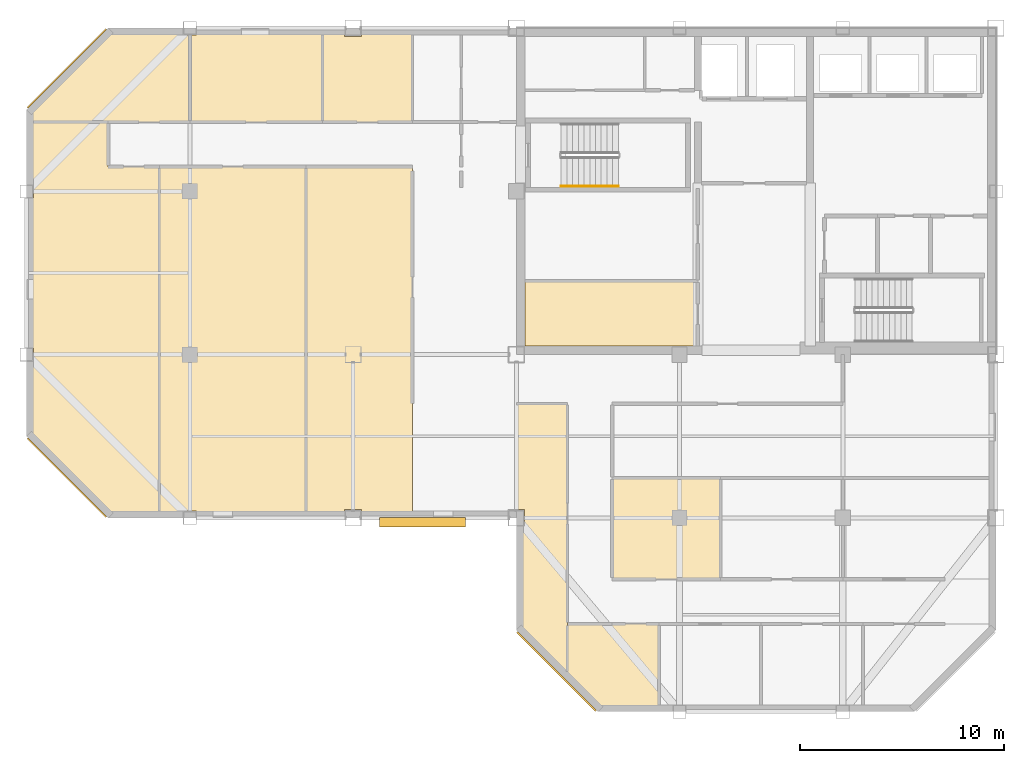
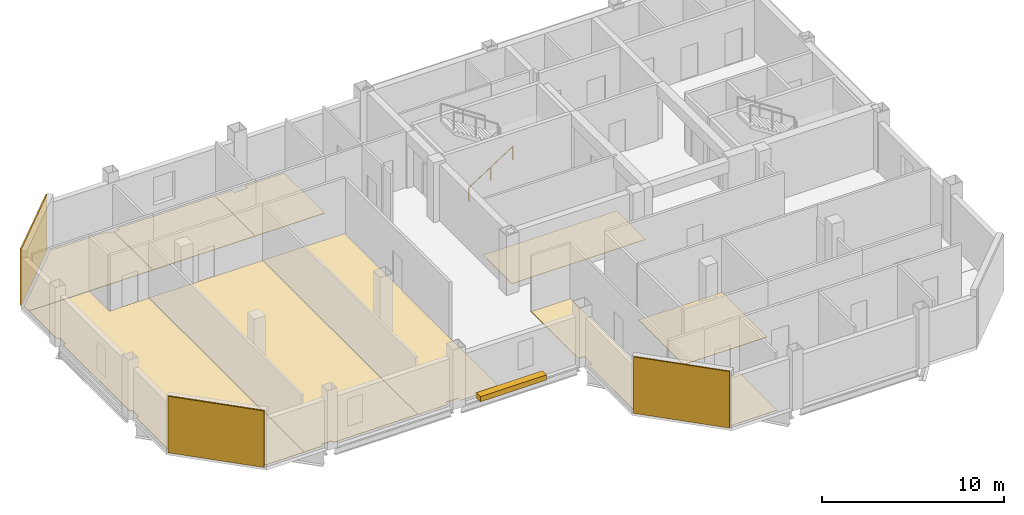
# One storey, part 5 of 7: 13 coverings, 1 railing, 1 shading device.
"""IFC4 building model written with IfcOpenShell, lengths in metres."""

import ifcopenshell
import ifcopenshell.guid

model = None  # the IFC model being written
_history = None  # IfcOwnerHistory: only IFC2X3 demands one
_inside = {}  # id of a spatial element -> (the spatial element, [elements in it])
_under = {}  # id of a project, library or spatial element -> (it, [spatial elements below it])
_declared = {}  # id of a project -> (the project, [libraries it declares])
_typed = {}  # id of a type object -> (the type object, [elements of that type])
_made_of = {}  # id of a material, layer set ... -> (it, [elements and type objects made of it])


def new_model(schema):
    """Start an empty IFC model of exactly this schema.

    Asked for "IFC4X3", IfcOpenShell would pick the latest addendum, in which some entities
    have other attributes; the version numbers below select the first issue.
    IFC2X3 requires an IfcOwnerHistory on every rooted entity: one is made here for all.
    """
    global model, _history
    if schema == "IFC4X3":
        model = ifcopenshell.file(schema_version=(4, 3, 0, 0))
    else:
        model = ifcopenshell.file(schema=schema)
    _inside.clear()
    _under.clear()
    _declared.clear()
    _typed.clear()
    _made_of.clear()
    _history = None
    if model.schema == "IFC2X3":
        org = make("IfcOrganization", Name="unknown")
        user = make(
            "IfcPersonAndOrganization",
            ThePerson=make("IfcPerson", FamilyName="unknown"),
            TheOrganization=org,
        )
        app = make(
            "IfcApplication",
            ApplicationDeveloper=org,
            Version="unknown",
            ApplicationFullName="unknown",
            ApplicationIdentifier="unknown",
        )
        _history = make(
            "IfcOwnerHistory",
            OwningUser=user,
            OwningApplication=app,
            ChangeAction="ADDED",
            CreationDate=0,
        )
    return model


def make(cls, **values):
    """One entity of the class cls with the attributes given. An attribute that is None is left unset."""
    return model.create_entity(
        cls, **{name: value for name, value in values.items() if value is not None}
    )


def rooted(cls, **values):
    """An entity with a GlobalId (a new one), such as an element, a storey or a relation."""
    return make(cls, GlobalId=ifcopenshell.guid.new(), OwnerHistory=_history, **values)


def si_unit(unit_type, name, prefix=None):
    """IfcSIUnit, for example si_unit("LENGTHUNIT", "METRE", prefix="MILLI")."""
    return make("IfcSIUnit", UnitType=unit_type, Prefix=prefix, Name=name)


def assignment(units):
    """IfcUnitAssignment: the units of a project."""
    return None if units is None else make("IfcUnitAssignment", Units=units)


def point(xyz):
    """IfcCartesianPoint."""
    return None if xyz is None else make("IfcCartesianPoint", Coordinates=xyz)


def direction(xyz):
    """IfcDirection."""
    return None if xyz is None else make("IfcDirection", DirectionRatios=xyz)


def frame(location, z_axis=None, x_axis=None):
    """IfcAxis2Placement3D, a coordinate frame: its origin and axes. An axis left out is left unset."""
    return make(
        "IfcAxis2Placement3D",
        Location=point(location),
        Axis=direction(z_axis),
        RefDirection=direction(x_axis),
    )


def frame_2d(location, x_axis=None):
    """IfcAxis2Placement2D, a coordinate frame in the plane: its origin and x axis."""
    return make(
        "IfcAxis2Placement2D", Location=point(location), RefDirection=direction(x_axis)
    )


def origin():
    """The frame at (0, 0, 0) with its axes left unset."""
    return frame((0.0, 0.0, 0.0))


def origin_2d():
    """The frame at (0, 0) in the plane with its x axis left unset."""
    return frame_2d((0.0, 0.0))


def place(relative_to, where):
    """IfcLocalPlacement: puts the frame where relative to a parent placement (None: the world)."""
    return make(
        "IfcLocalPlacement", PlacementRelTo=relative_to, RelativePlacement=where
    )


def context(
    kind, dimensions, precision=None, world=None, true_north=None, identifier=None
):
    """IfcGeometricRepresentationContext, for example the 3D "Model" context."""
    return make(
        "IfcGeometricRepresentationContext",
        ContextIdentifier=identifier,
        ContextType=kind,
        CoordinateSpaceDimension=dimensions,
        Precision=precision,
        WorldCoordinateSystem=world,
        TrueNorth=true_north,
    )


def subcontext(parent, identifier, kind, view, scale=None):
    """IfcGeometricRepresentationSubContext, for example "Body" below "Model"."""
    return make(
        "IfcGeometricRepresentationSubContext",
        ContextIdentifier=identifier,
        ContextType=kind,
        ParentContext=parent,
        TargetScale=scale,
        TargetView=view,
    )


def project(units=None, contexts=None):
    """IfcProject with its units and contexts."""
    return rooted(
        "IfcProject",
        Name="project",
        RepresentationContexts=contexts,
        UnitsInContext=assignment(units),
    )


def spatial(cls, under=None, at=None, **own):
    """A site, building, storey or space (cls), placed at a placement, below another one or the project."""
    s = rooted(cls, ObjectPlacement=at, **own)
    if under is not None:
        _under.setdefault(under.id(), (under, []))[1].append(s)
    return s


def polyline(points):
    """IfcPolyline through the points."""
    return make("IfcPolyline", Points=[point(p) for p in points])


def profile(cls, at=None, kind="AREA", **sizes):
    """A parametric profile (cls). Its sizes go by their IFC names, for example OverallWidth=200.0."""
    return make(cls, ProfileType=kind, Position=at, **sizes)


def rectangle(**sizes):
    """IfcRectangleProfileDef."""
    return profile("IfcRectangleProfileDef", **sizes)


def circle(**sizes):
    """IfcCircleProfileDef."""
    return profile("IfcCircleProfileDef", **sizes)


def outline(outer, holes=None, kind="AREA"):
    """IfcArbitraryClosedProfileDef: a profile drawn as a closed curve; with holes, ...WithVoids."""
    if holes is None:
        return make("IfcArbitraryClosedProfileDef", ProfileType=kind, OuterCurve=outer)
    return make(
        "IfcArbitraryProfileDefWithVoids",
        ProfileType=kind,
        OuterCurve=outer,
        InnerCurves=holes,
    )


def extrude(swept, where, along, depth):
    """IfcExtrudedAreaSolid: the profile swept, set in the frame where, extruded along a direction by depth."""
    return make(
        "IfcExtrudedAreaSolid",
        SweptArea=swept,
        Position=where,
        ExtrudedDirection=direction(along),
        Depth=depth,
    )


def shape(context_of_items, identifier, shape_type, items):
    """IfcShapeRepresentation: the items that make up one representation, for example the "Body"."""
    return make(
        "IfcShapeRepresentation",
        ContextOfItems=context_of_items,
        RepresentationIdentifier=identifier,
        RepresentationType=shape_type,
        Items=items,
    )


def material(Name=None, Category=None):
    """IfcMaterial."""
    return make("IfcMaterial", Name=Name, Category=Category)


def layer(
    of_material, thickness, ventilated=None, Name=None, Category=None, Priority=None
):
    """IfcMaterialLayer: one layer of a wall or slab, of a material (None: an air gap)."""
    return make(
        "IfcMaterialLayer",
        Material=of_material,
        LayerThickness=thickness,
        IsVentilated=ventilated,
        Name=Name,
        Category=Category,
        Priority=Priority,
    )


def layer_set(layers, Name=None):
    """IfcMaterialLayerSet."""
    return make("IfcMaterialLayerSet", MaterialLayers=layers, LayerSetName=Name)


def made_of(thing, what):
    """Note that an element or type object is made of a material, layer set ...; save() writes the relation."""
    if what is not None:
        _made_of.setdefault(what.id(), (what, []))[1].append(thing)
    return thing


def type_object(cls, material=None, **own):
    """A type object (cls), such as IfcWallType, which elements share."""
    return made_of(rooted(cls, **own), material)


def element(
    cls,
    number,
    at=None,
    inside=None,
    cuts=None,
    type_object=None,
    material=None,
    context=None,
    identifier="Body",
    shape_type=None,
    held_by="IfcProductDefinitionShape",
    body=None,
    shapes=None,
    **own,
):
    """One element of the class cls, such as IfcWall. Its Tag is "e" and its number.

    at: its placement. inside: the storey or other place that contains it. cuts: it is an
    opening in that element (IfcRelVoidsElement). A single representation is given by context,
    identifier, shape_type and body (its items); several are given by shapes. held_by: the class
    of the entity that holds the representations. save() writes the other relations.
    """
    e = rooted(cls, Tag="e%d" % number, ObjectPlacement=at, **own)
    if body is not None:
        shapes = [shape(context, identifier, shape_type, body)]
    if shapes is not None:
        e.Representation = make(held_by, Representations=shapes)
    if inside is not None:
        _inside.setdefault(inside.id(), (inside, []))[1].append(e)
    if cuts is not None:
        rooted(
            "IfcRelVoidsElement", RelatingBuildingElement=cuts, RelatedOpeningElement=e
        )
    if type_object is not None:
        _typed.setdefault(type_object.id(), (type_object, []))[1].append(e)
    return made_of(e, material)


def aggregate(whole, parts):
    """IfcRelAggregates: a whole, such as a stair, and the parts it consists of."""
    return rooted("IfcRelAggregates", RelatingObject=whole, RelatedObjects=parts)


def save(model, path):
    """Write the relations noted so far, then the file.

    IfcRelAggregates (storeys below a building ...), IfcRelContainedInSpatialStructure (elements
    in a storey), IfcRelDefinesByType, IfcRelAssociatesMaterial and IfcRelDeclares: one each for
    every whole, place, type object, material and project.
    """
    for whole, parts in _under.values():
        aggregate(whole, parts)
    for where, things in _inside.values():
        rooted(
            "IfcRelContainedInSpatialStructure",
            RelatedElements=things,
            RelatingStructure=where,
        )
    for kind, things in _typed.values():
        rooted("IfcRelDefinesByType", RelatedObjects=things, RelatingType=kind)
    for what, things in _made_of.values():
        rooted("IfcRelAssociatesMaterial", RelatedObjects=things, RelatingMaterial=what)
    for by, libraries in _declared.values():
        rooted("IfcRelDeclares", RelatingContext=by, RelatedDefinitions=libraries)
    model.write(path)


model = new_model("IFC4")

# Units and contexts
model_context = context("Model", 3, precision=1e-05, world=origin(), true_north=direction((0.0, 1.0)))
body_context = subcontext(model_context, "Body", "Model", "MODEL_VIEW")
ifc_project = project(units=[si_unit("LENGTHUNIT", "METRE"), si_unit("AREAUNIT", "SQUARE_METRE"), si_unit("VOLUMEUNIT", "CUBIC_METRE"), si_unit("PLANEANGLEUNIT", "RADIAN"), si_unit("MASSUNIT", "GRAM", prefix="KILO")], contexts=[model_context])

# Site, building, storey
site_placement = place(None, origin())
site = spatial("IfcSite", under=ifc_project, at=site_placement, CompositionType="ELEMENT")
building_placement = place(site_placement, origin())
building = spatial("IfcBuilding", under=site, at=building_placement, Name="Qianrong Seaharbour Tower", CompositionType="ELEMENT")
storey_placement = place(building_placement, frame((0.0, 0.0, 355.199951171875)))
storey = spatial("IfcBuildingStorey", under=building, at=storey_placement, Name="L86", CompositionType="ELEMENT", Elevation=355.199951171875)

# Coverings
ifc_material_1 = material(Name="Unitised red brick cladding on Precast concrete C45/55", Category="masonry")
ifc_layer_1 = layer(ifc_material_1, 0.080078125)
ifc_layer_set_1 = layer_set([ifc_layer_1], Name="Unitised red brick cladding on Precast concrete C45/55")
covering_type_1 = type_object("IfcCoveringType", Name="COV-CLAD-RED-BRICK-80", PredefinedType="CLADDING", material=ifc_layer_set_1)
for number, where, z_axis, x_axis, name in (
    (1, (18.4716796875, 29.9716796875, 0.0), (0.0, 0.0, 1.0), (-0.707106781187, 0.707106781187, 0.0), "L86 Chamfer Corner Brick Cladding 02"),
    (2, (18.4716796875, 50.0283203125, 0.0), (0.0, 0.0, 1.0), (0.707106781187, 0.707106781187, 0.0), "L86 Chamfer Corner Brick Cladding 04"),
    (3, (42.4716796875, 20.4716796875, 0.0), (0.0, 0.0, 1.0), (-0.707106781187, 0.707106781187, 0.0), "L86 Chamfer Corner Brick Cladding 09"),
):
    element("IfcCovering", number, at=place(storey_placement, frame(where, z_axis=z_axis, x_axis=x_axis)), inside=storey, type_object=covering_type_1, Name=name, PredefinedType="CLADDING", context=body_context, shape_type="SweptSolid", body=[
        extrude(rectangle(XDim=5.456787109375, YDim=0.080078125, at=origin_2d()), origin(), (0.0, 0.0, 1.0), 3.784912109375),
    ])
ifc_material_2 = material(Name="Acoustic modular carpet tile flooring")
ifc_layer_2 = layer(ifc_material_2, 0.02001953125)
ifc_layer_set_2 = layer_set([ifc_layer_2], Name="Acoustic modular carpet tile flooring")
covering_type_2 = type_object("IfcCoveringType", Name="COV-FLOOR-CARPET-20", PredefinedType="FLOORING", material=ifc_layer_set_2)
covering_1_placement = place(storey_placement, origin())
element("IfcCovering", 4, at=covering_1_placement, inside=storey, type_object=covering_type_2, Name="L86 Wellness Room Finish Flooring", PredefinedType="FLOORING", context=body_context, shape_type="SweptSolid", body=[
    extrude(outline(polyline([(49.39990234375, 39.60009765625), (49.39990234375, 36.419921875), (40.919921875, 36.419921875), (40.919921875, 39.60009765625), (49.39990234375, 39.60009765625)])), origin(), (0.0, 0.0, 1.0), 0.02001953125),
])
covering_2_placement = place(storey_placement, origin())
element("IfcCovering", 5, at=covering_2_placement, inside=storey, type_object=covering_type_2, Name="L86 VIP Client Lounge 3 Finish Flooring", PredefinedType="FLOORING", context=body_context, shape_type="SweptSolid", body=[
    extrude(outline(polyline([(32.909912109375, 28.1650390625), (32.909912109375, 28.409912109375), (32.090087890625, 28.409912109375), (32.090087890625, 28.1650390625), (30.199951171875, 28.1650390625), (30.199951171875, 45.199951171875), (35.39990234375, 45.199951171875), (35.39990234375, 28.1650390625), (32.909912109375, 28.1650390625)])), origin(), (0.0, 0.0, 1.0), 0.02001953125),
])
covering_3_placement = place(storey_placement, origin())
element("IfcCovering", 6, at=covering_3_placement, inside=storey, type_object=covering_type_2, Name="L86 Wet Pantry 1 Finish Flooring", PredefinedType="FLOORING", context=body_context, shape_type="SweptSolid", body=[
    extrude(outline(polyline([(43.0, 20.2333984375), (40.6650390625, 22.568359375), (40.6650390625, 27.590087890625), (40.909912109375, 27.590087890625), (40.909912109375, 28.409912109375), (40.5, 28.409912109375), (40.5, 33.60009765625), (43.0, 33.60009765625), (43.0, 20.2333984375)])), origin(), (0.0, 0.0, 1.0), 0.02001953125),
])
covering_4_placement = place(storey_placement, origin())
element("IfcCovering", 7, at=covering_4_placement, inside=storey, type_object=covering_type_2, Name="L86 Harbour Trade Lounge 1 Finish Flooring", PredefinedType="FLOORING", context=body_context, shape_type="SweptSolid", body=[
    extrude(outline(polyline([(47.5, 18.6650390625), (44.568359375, 18.6650390625), (43.0, 20.2333984375), (43.0, 22.800048828125), (47.5, 22.800048828125), (47.5, 18.6650390625)])), origin(), (0.0, 0.0, 1.0), 0.02001953125),
])
ifc_material_3 = material(Name="Honed granite stone flooring", Category="masonry")
ifc_layer_3 = layer(ifc_material_3, 0.030029296875)
ifc_layer_set_3 = layer_set([ifc_layer_3], Name="Honed granite stone flooring")
covering_type_3 = type_object("IfcCoveringType", Name="COV-FLOOR-GRANITE-30", PredefinedType="FLOORING", material=ifc_layer_set_3)
covering_5_placement = place(storey_placement, origin())
element("IfcCovering", 8, at=covering_5_placement, inside=storey, type_object=covering_type_3, Name="L86 Chartering Model Showroom 1 Finish Flooring", PredefinedType="FLOORING", context=body_context, shape_type="SweptSolid", body=[
    extrude(outline(polyline([(50.5, 29.949951171875), (50.5, 25.0), (45.199951171875, 25.0), (45.199951171875, 29.949951171875), (50.5, 29.949951171875)])), origin(), (0.0, 0.0, 1.0), 0.030029296875),
])
covering_6_placement = place(storey_placement, origin())
element("IfcCovering", 9, at=covering_6_placement, inside=storey, type_object=covering_type_3, Name="L86 Vessel Model Showroom 1 Finish Flooring", PredefinedType="FLOORING", context=body_context, shape_type="SweptSolid", body=[
    extrude(outline(polyline([(16.6650390625, 47.931640625), (20.568359375, 51.8349609375), (24.1650390625, 51.8349609375), (24.1650390625, 51.6650390625), (24.5, 51.6650390625), (24.5, 47.39990234375), (16.6650390625, 47.39990234375), (16.6650390625, 47.931640625)])), origin(), (0.0, 0.0, 1.0), 0.030029296875),
])
covering_7_placement = place(storey_placement, origin())
element("IfcCovering", 10, at=covering_7_placement, inside=storey, type_object=covering_type_3, Name="L86 Navigation Systems Showroom 2 Finish Flooring", PredefinedType="FLOORING", context=body_context, shape_type="SweptSolid", body=[
    extrude(outline(polyline([(24.5, 51.6650390625), (24.8349609375, 51.6650390625), (24.8349609375, 51.8349609375), (31.0, 51.8349609375), (31.0, 47.39990234375), (24.5, 47.39990234375), (24.5, 51.6650390625)])), origin(), (0.0, 0.0, 1.0), 0.030029296875),
])
covering_8_placement = place(storey_placement, origin())
element("IfcCovering", 11, at=covering_8_placement, inside=storey, type_object=covering_type_3, Name="L86 Marine Propulsion Showroom 3 Finish Flooring", PredefinedType="FLOORING", context=body_context, shape_type="SweptSolid", body=[
    extrude(outline(polyline([(31.0, 51.8349609375), (32.090087890625, 51.8349609375), (32.090087890625, 51.590087890625), (32.909912109375, 51.590087890625), (32.909912109375, 51.8349609375), (35.39990234375, 51.8349609375), (35.39990234375, 47.39990234375), (31.0, 47.39990234375), (31.0, 51.8349609375)])), origin(), (0.0, 0.0, 1.0), 0.030029296875),
])
covering_9_placement = place(storey_placement, origin())
element("IfcCovering", 12, at=covering_9_placement, inside=storey, type_object=covering_type_3, Name="L86 Cargo Systems Showroom 1 Finish Flooring", PredefinedType="FLOORING", context=body_context, shape_type="SweptSolid", body=[
    extrude(outline(polyline([(20.568359375, 28.1650390625), (16.6650390625, 32.068359375), (16.6650390625, 35.6650390625), (16.8349609375, 35.6650390625), (16.8349609375, 36.3349609375), (16.6650390625, 36.3349609375), (16.6650390625, 43.6650390625), (16.8349609375, 43.6650390625), (16.8349609375, 44.3349609375), (16.6650390625, 44.3349609375), (16.6650390625, 47.39990234375), (20.5, 47.39990234375), (20.5, 45.199951171875), (23.0, 45.199951171875), (23.0, 28.1650390625), (20.568359375, 28.1650390625)])), origin(), (0.0, 0.0, 1.0), 0.030029296875),
])
covering_10_placement = place(storey_placement, origin())
element("IfcCovering", 13, at=covering_10_placement, inside=storey, type_object=covering_type_3, Name="L86 Fleet Logistics Showroom 2 Finish Flooring", PredefinedType="FLOORING", context=body_context, shape_type="SweptSolid", body=[
    extrude(outline(polyline([(24.8349609375, 28.1650390625), (24.8349609375, 28.3349609375), (24.1650390625, 28.3349609375), (24.1650390625, 28.1650390625), (23.0, 28.1650390625), (23.0, 45.199951171875), (30.199951171875, 45.199951171875), (30.199951171875, 28.1650390625), (24.8349609375, 28.1650390625)])), origin(), (0.0, 0.0, 1.0), 0.030029296875),
])

# Railing
ifc_material_4 = material(Name="Stainless steel SUS316L continuous handrail", Category="steel")
railing_type = type_object("IfcRailingType", Name="RAIL-STAIR-HANDRAIL-900", PredefinedType="HANDRAIL", material=ifc_material_4)
railing_placement = place(storey_placement, frame((42.699951171875, 44.25, 0.181884765625)))
element("IfcRailing", 14, at=railing_placement, inside=storey, type_object=railing_type, Name="L86 ST-1 stair handrail 1", PredefinedType="HANDRAIL", context=body_context, shape_type="SweptSolid", body=[
    extrude(circle(Radius=0.02392578125, at=origin_2d()), frame((0.0, 0.0, 0.8759765625), z_axis=(0.838705829183, 0.0, 0.544584733623), x_axis=(0.0, 1.0, 0.0)), (0.0, 0.0, 1.0), 3.338623046875),
    extrude(circle(Radius=0.02099609375, at=origin_2d()), origin(), (0.0, 0.0, 1.0), 0.851806640625),
    extrude(circle(Radius=0.02099609375, at=origin_2d()), frame((1.39990234375, 0.0, 0.9091796875)), (0.0, 0.0, 1.0), 0.851806640625),
    extrude(circle(Radius=0.02099609375, at=origin_2d()), frame((2.800048828125, 0.0, 1.818115234375)), (0.0, 0.0, 1.0), 0.851806640625),
])

# Shading device
ifc_material_5 = material(Name="White architectural precast concrete C45/55", Category="concrete")
shading_device_type = type_object("IfcShadingDeviceType", Name="SHD-SUNSHADE-WHITE-320", PredefinedType="AWNING", material=ifc_material_5)
shading_device_placement = place(storey_placement, frame((35.89990234375, 27.780029296875, -0.02001953125), z_axis=(0.0, 0.0, 1.0), x_axis=(1.0, 0.0, 0.0)))
element("IfcShadingDevice", 15, at=shading_device_placement, inside=storey, type_object=shading_device_type, Name="L86 Climbing White Precast Ribbon Canopy Fin", PredefinedType="AWNING", context=body_context, shape_type="SweptSolid", body=[
    extrude(rectangle(XDim=4.199951171875, YDim=0.4599609375, at=origin_2d()), origin(), (0.0, 0.0, 1.0), 0.340087890625),
])

save(model, "model.ifc")
